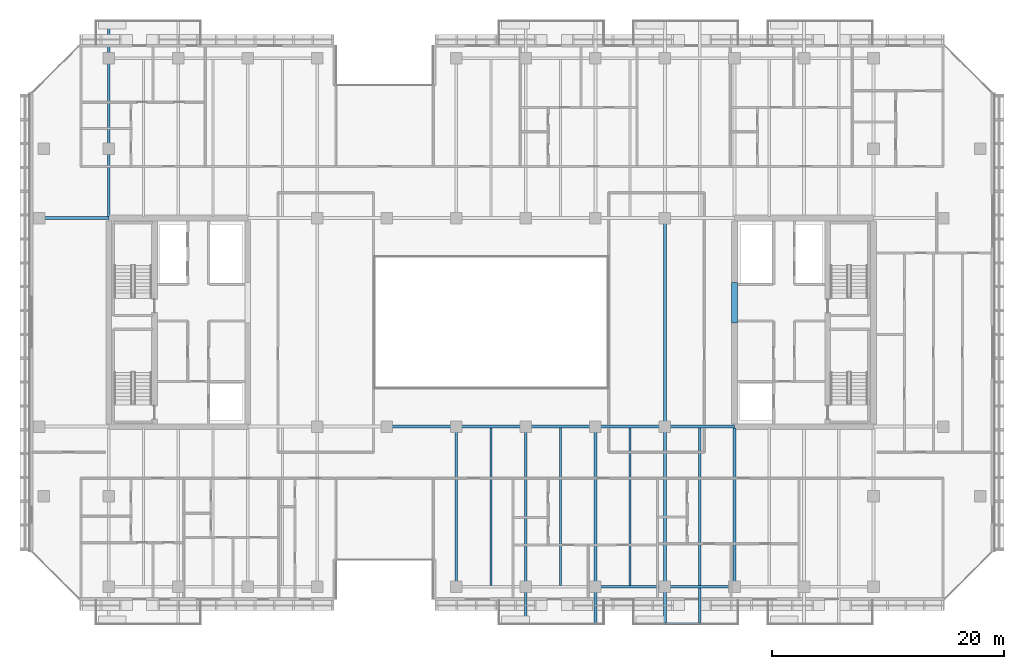
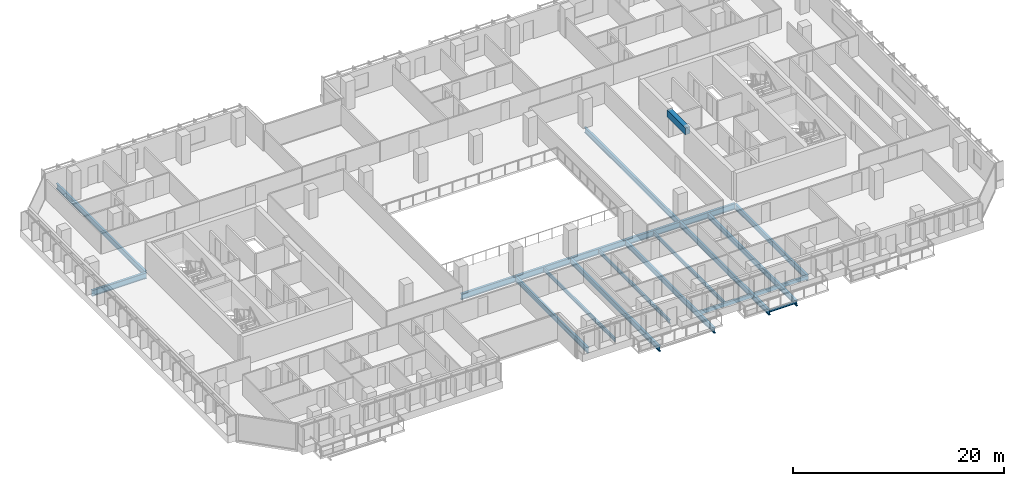
# One storey, part 7 of 35: 21 beams.
"""IFC4 building model written with IfcOpenShell, lengths in metres."""

from ifc_helpers import new_model, si_unit, direction, frame, origin, origin_2d, place, context, subcontext, project, spatial, rectangle, hollow_rectangle, i_section, extrude, material, material_profile, profile_set, type_object, element, save


model = new_model("IFC4")

# Units and contexts
model_context = context("Model", 3, precision=1e-05, world=origin(), true_north=direction((0.0, 1.0)))
body_context = subcontext(model_context, "Body", "Model", "MODEL_VIEW")
ifc_project = project(units=[si_unit("LENGTHUNIT", "METRE"), si_unit("AREAUNIT", "SQUARE_METRE"), si_unit("VOLUMEUNIT", "CUBIC_METRE"), si_unit("PLANEANGLEUNIT", "RADIAN"), si_unit("MASSUNIT", "GRAM", prefix="KILO")], contexts=[model_context])

# Site, building, storey
site_placement = place(None, origin())
site = spatial("IfcSite", under=ifc_project, at=site_placement, CompositionType="ELEMENT")
building_placement = place(site_placement, origin())
building = spatial("IfcBuilding", under=site, at=building_placement, Name="Tanjung Sevakor Pilgrim Tower", CompositionType="ELEMENT")
storey_placement = place(building_placement, frame((0.0, 0.0, 92.070068359375)))
storey = spatial("IfcBuildingStorey", under=building, at=storey_placement, Name="L25", CompositionType="ELEMENT", Elevation=92.070068359375)

# Beams
ifc_material_1 = material(Name="Steel S355J2", Category="steel")
ifc_material_profile_1 = material_profile(ifc_material_1, i_section(OverallWidth=0.25439453125, OverallDepth=0.6875, WebThickness=0.01318359375, FlangeThickness=0.02099609375, FilletRadius=0.01513671875, at=origin_2d()))
ifc_profile_set_1 = profile_set([ifc_material_profile_1], Name="Steel S355J2")
beam_type_1 = type_object("IfcBeamType", Name="BM-B-G2-UB_686x254x152", PredefinedType="BEAM", material=ifc_profile_set_1)
for number, where, z_axis, x_axis, name in (
    (1, (48.0, 24.60009765625, -0.56396484375), (1.0, 0.0, 0.0), (0.0, 1.0, 0.0), "L25 Primary Floor Girder MAIN Y246-04"),
    (2, (54.0, 24.60009765625, -0.56396484375), (1.0, 0.0, 0.0), (0.0, 1.0, 0.0), "L25 Primary Floor Girder MAIN Y246-05"),
    (3, (60.0, 24.60009765625, -0.56396484375), (1.0, 0.0, 0.0), (0.0, 1.0, 0.0), "L25 Primary Floor Girder MAIN Y246-06"),
    (4, (66.0, 24.60009765625, -0.56396484375), (1.0, 0.0, 0.0), (0.0, 1.0, 0.0), "L25 Primary Floor Girder MAIN Y246-07"),
    (5, (72.0, 24.60009765625, -0.56396484375), (1.0, 0.0, 0.0), (0.0, 1.0, 0.0), "L25 Primary Floor Girder MAIN Y246-08"),
    (6, (18.0, 42.60009765625, -0.56396484375), (1.0, 0.0, 0.0), (0.0, 1.0, 0.0), "L25 Primary Floor Girder MAIN Y426-01"),
):
    element("IfcBeam", number, at=place(storey_placement, frame(where, z_axis=z_axis, x_axis=x_axis)), inside=storey, type_object=beam_type_1, Name=name, PredefinedType="BEAM", context=body_context, shape_type="SweptSolid", body=[
        extrude(i_section(OverallWidth=0.25439453125, OverallDepth=0.6875, WebThickness=0.01318359375, FlangeThickness=0.02099609375, FilletRadius=0.01513671875, at=origin_2d()), origin(), (0.0, 0.0, 1.0), 6.0),
    ])
ifc_material_2 = material(Name="Steel S355J2", Category="steel")
ifc_material_profile_2 = material_profile(ifc_material_2, i_section(OverallWidth=0.230224609375, OverallDepth=0.6171875, WebThickness=0.01318359375, FlangeThickness=0.022216796875, FilletRadius=0.0126953125, at=origin_2d()))
ifc_profile_set_2 = profile_set([ifc_material_profile_2], Name="Steel S355J2")
beam_type_2 = type_object("IfcBeamType", Name="BM-B-G3-UB_610x229x140", PredefinedType="BEAM", material=ifc_profile_set_2)
beam_1_placement = place(storey_placement, frame((24.0, 42.727294921875, -0.528564453125), z_axis=(0.0, 1.0, 0.0), x_axis=(-1.0, 0.0, 0.0)))
element("IfcBeam", 7, at=beam_1_placement, inside=storey, type_object=beam_type_2, Name="L25 Balcony Cantilever Beam MAIN-N1-1", PredefinedType="BEAM", context=body_context, shape_type="SweptSolid", body=[
    extrude(i_section(OverallWidth=0.230224609375, OverallDepth=0.6171875, WebThickness=0.01318359375, FlangeThickness=0.022216796875, FilletRadius=0.0126953125, at=origin_2d()), origin(), (0.0, 0.0, 1.0), 16.852783203125),
])
beam_2_placement = place(storey_placement, frame((54.0, 10.800048828125, -0.528564453125), z_axis=(0.0, 1.0, 0.0), x_axis=(-1.0, 0.0, 0.0)))
element("IfcBeam", 8, at=beam_2_placement, inside=storey, type_object=beam_type_2, Name="L25 MAIN Girder 012", PredefinedType="BEAM", context=body_context, shape_type="SweptSolid", body=[
    extrude(i_section(OverallWidth=0.230224609375, OverallDepth=0.6171875, WebThickness=0.01318359375, FlangeThickness=0.022216796875, FilletRadius=0.0126953125, at=origin_2d()), origin(), (0.0, 0.0, 1.0), 13.800048828125),
])
for number, where, z_axis, x_axis, name in (
    (9, (60.0, 24.60009765625, -0.528564453125), (0.0, -1.0, 0.0), (1.0, 0.0, 0.0), "L25 Balcony Cantilever Beam MAIN-S2-1"),
    (10, (66.0, 24.60009765625, -0.528564453125), (0.0, -1.0, 0.0), (1.0, 0.0, 0.0), "L25 Balcony Cantilever Beam MAIN-S2-2"),
    (11, (72.0, 24.60009765625, -0.528564453125), (0.0, -1.0, 0.0), (1.0, 0.0, 0.0), "L25 Balcony Cantilever Beam MAIN-S3-1"),
):
    element("IfcBeam", number, at=place(storey_placement, frame(where, z_axis=z_axis, x_axis=x_axis)), inside=storey, type_object=beam_type_2, Name=name, PredefinedType="BEAM", context=body_context, shape_type="SweptSolid", body=[
        extrude(i_section(OverallWidth=0.230224609375, OverallDepth=0.6171875, WebThickness=0.01318359375, FlangeThickness=0.022216796875, FilletRadius=0.0126953125, at=origin_2d()), origin(), (0.0, 0.0, 1.0), 16.97998046875),
    ])
beam_3_placement = place(storey_placement, frame((72.0, 24.60009765625, -0.528564453125), z_axis=(0.0, 1.0, 0.0), x_axis=(-1.0, 0.0, 0.0)))
element("IfcBeam", 12, at=beam_3_placement, inside=storey, type_object=beam_type_2, Name="L25 MAIN Girder 020", PredefinedType="BEAM", context=body_context, shape_type="SweptSolid", body=[
    extrude(i_section(OverallWidth=0.230224609375, OverallDepth=0.6171875, WebThickness=0.01318359375, FlangeThickness=0.022216796875, FilletRadius=0.0126953125, at=origin_2d()), origin(), (0.0, 0.0, 1.0), 18.0),
])
beam_4_placement = place(storey_placement, frame((78.0, 10.800048828125, -0.528564453125), z_axis=(0.0, 1.0, 0.0), x_axis=(-1.0, 0.0, 0.0)))
element("IfcBeam", 13, at=beam_4_placement, inside=storey, type_object=beam_type_2, Name="L25 MAIN Girder 021", PredefinedType="BEAM", context=body_context, shape_type="SweptSolid", body=[
    extrude(i_section(OverallWidth=0.230224609375, OverallDepth=0.6171875, WebThickness=0.01318359375, FlangeThickness=0.022216796875, FilletRadius=0.0126953125, at=origin_2d()), origin(), (0.0, 0.0, 1.0), 13.672607421875),
])
ifc_material_3 = material(Name="Steel S355J2", Category="steel")
ifc_material_profile_3 = material_profile(ifc_material_3, i_section(OverallWidth=0.22900390625, OverallDepth=0.6123046875, WebThickness=0.011962890625, FlangeThickness=0.01953125, FilletRadius=0.0126953125, at=origin_2d()))
ifc_profile_set_3 = profile_set([ifc_material_profile_3], Name="Steel S355J2")
beam_type_3 = type_object("IfcBeamType", Name="BM-B-G4-UB_610x229x125", PredefinedType="BEAM", material=ifc_profile_set_3)
beam_5_placement = place(storey_placement, frame((75.0, 24.47265625, -0.526123046875), z_axis=(0.0, -1.0, 0.0), x_axis=(1.0, 0.0, 0.0)))
element("IfcBeam", 14, at=beam_5_placement, inside=storey, type_object=beam_type_3, Name="L25 Balcony Cantilever Beam MAIN-S3-2", PredefinedType="BEAM", context=body_context, shape_type="SweptSolid", body=[
    extrude(i_section(OverallWidth=0.22900390625, OverallDepth=0.6123046875, WebThickness=0.011962890625, FlangeThickness=0.01953125, FilletRadius=0.0126953125, at=origin_2d()), origin(), (0.0, 0.0, 1.0), 16.8525390625),
])
ifc_material_4 = material(Name="Steel S355J2", Category="steel")
ifc_material_profile_4 = material_profile(ifc_material_4, i_section(OverallWidth=0.1787109375, OverallDepth=0.409423828125, WebThickness=0.0087890625, FlangeThickness=0.014404296875, FilletRadius=0.01025390625, at=origin_2d()))
ifc_profile_set_4 = profile_set([ifc_material_profile_4], Name="Steel S355J2")
beam_type_4 = type_object("IfcBeamType", Name="BM-B-J3-UB_406x178x67", PredefinedType="JOIST", material=ifc_profile_set_4)
for number, where, z_axis, x_axis, name in (
    (15, (57.0, 10.89990234375, -0.4248046875), (0.0, 1.0, 0.0), (-1.0, 0.0, 0.0), "L25 MAIN Joist 014"),
    (16, (63.0, 10.89990234375, -0.4248046875), (0.0, 1.0, 0.0), (-1.0, 0.0, 0.0), "L25 MAIN Joist 016"),
    (17, (69.0, 10.89990234375, -0.4248046875), (0.0, 1.0, 0.0), (-1.0, 0.0, 0.0), "L25 MAIN Joist 018"),
):
    element("IfcBeam", number, at=place(storey_placement, frame(where, z_axis=z_axis, x_axis=x_axis)), inside=storey, type_object=beam_type_4, Name=name, PredefinedType="JOIST", context=body_context, shape_type="SweptSolid", body=[
        extrude(i_section(OverallWidth=0.1787109375, OverallDepth=0.409423828125, WebThickness=0.0087890625, FlangeThickness=0.014404296875, FilletRadius=0.01025390625, at=origin_2d()), origin(), (0.0, 0.0, 1.0), 13.57275390625),
    ])
ifc_material_5 = material(Name="Steel S355J2", Category="steel")
ifc_material_profile_5 = material_profile(ifc_material_5, i_section(OverallWidth=0.146484375, OverallDepth=0.256103515625, WebThickness=0.00634765625, FlangeThickness=0.010986328125, FilletRadius=0.007568359375, at=origin_2d()))
ifc_profile_set_5 = profile_set([ifc_material_profile_5], Name="Steel S355J2")
beam_type_5 = type_object("IfcBeamType", Name="BM-B-J6-UB_254x146x37", PredefinedType="JOIST", material=ifc_profile_set_5)
beam_6_placement = place(storey_placement, frame((72.0, 7.6201171875, -0.328125), z_axis=(1.0, 0.0, 0.0), x_axis=(0.0, 1.0, 0.0)))
element("IfcBeam", 18, at=beam_6_placement, inside=storey, type_object=beam_type_5, Name="L25 Balcony Rim Tie MAIN-S3", PredefinedType="JOIST", context=body_context, shape_type="SweptSolid", body=[
    extrude(i_section(OverallWidth=0.146484375, OverallDepth=0.256103515625, WebThickness=0.00634765625, FlangeThickness=0.010986328125, FilletRadius=0.007568359375, at=origin_2d()), origin(), (0.0, 0.0, 1.0), 3.0),
])
ifc_material_6 = material(Name="Concrete C60/75", Category="concrete")
ifc_material_profile_6 = material_profile(ifc_material_6, rectangle(XDim=0.5, YDim=0.800048828125, at=origin_2d()))
ifc_profile_set_6 = profile_set([ifc_material_profile_6], Name="Concrete C60/75")
beam_type_6 = type_object("IfcBeamType", Name="BM-B-LN2-RC-BM_500x800", PredefinedType="LINTEL", material=ifc_profile_set_6)
beam_7_placement = place(storey_placement, frame((78.0, 33.550048828125, 2.679931640625), z_axis=(0.0, 1.0, 0.0), x_axis=(-1.0, 0.0, 0.0)))
element("IfcBeam", 19, at=beam_7_placement, inside=storey, type_object=beam_type_6, Name="L25 E Core Coupling Lintel", PredefinedType="LINTEL", context=body_context, shape_type="SweptSolid", body=[
    extrude(rectangle(XDim=0.5, YDim=0.800048828125, at=origin_2d()), origin(), (0.0, 0.0, 1.0), 3.5),
])
ifc_material_7 = material(Name="Steel S355J2", Category="steel")
ifc_material_profile_7 = material_profile(ifc_material_7, hollow_rectangle(XDim=0.199951171875, YDim=0.39990234375, WallThickness=0.01611328125, at=origin_2d()))
ifc_profile_set_7 = profile_set([ifc_material_profile_7], Name="Steel S355J2")
beam_type_7 = type_object("IfcBeamType", Name="BM-B-SP2-RHS_400x200x16", PredefinedType="SPANDREL", material=ifc_profile_set_7)
for number, where, z_axis, x_axis, name in (
    (20, (66.0, 10.800048828125, -0.420166015625), (1.0, 0.0, 0.0), (0.0, 1.0, 0.0), "L25 Spandrel MAIN S-11"),
    (21, (72.0, 10.800048828125, -0.420166015625), (1.0, 0.0, 0.0), (0.0, 1.0, 0.0), "L25 Spandrel MAIN S-13"),
):
    element("IfcBeam", number, at=place(storey_placement, frame(where, z_axis=z_axis, x_axis=x_axis)), inside=storey, type_object=beam_type_7, Name=name, PredefinedType="SPANDREL", context=body_context, shape_type="SweptSolid", body=[
        extrude(hollow_rectangle(XDim=0.199951171875, YDim=0.39990234375, WallThickness=0.01611328125, at=origin_2d()), origin(), (0.0, 0.0, 1.0), 6.0),
    ])

save(model, "model.ifc")
